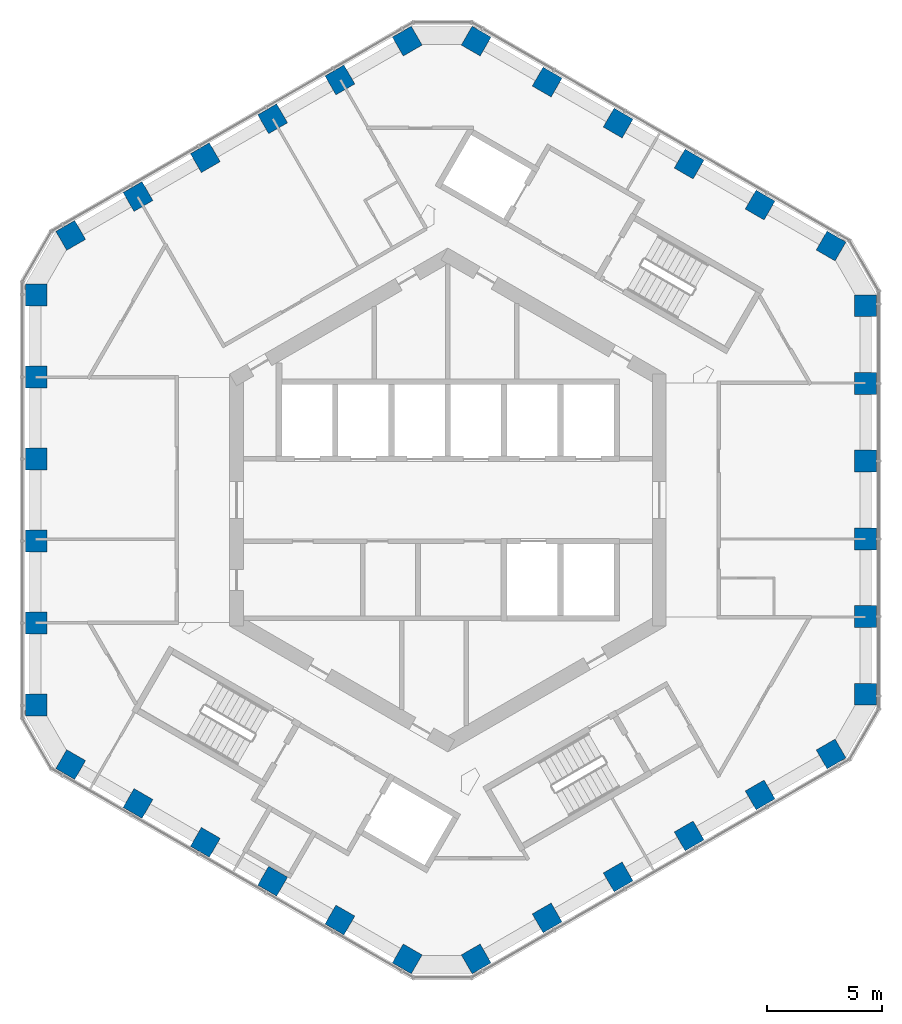
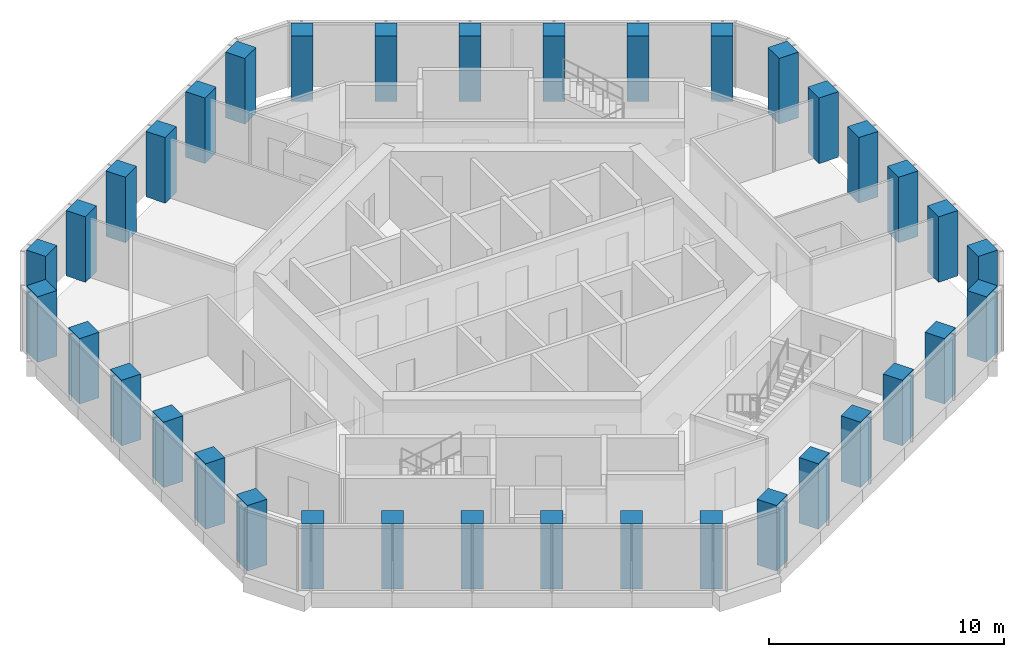
# One storey, part 1 of 18: 36 columns.
"""IFC4 building model written with IfcOpenShell, lengths in metres."""

from ifc_helpers import new_model, si_unit, direction, frame, origin, origin_2d, place, context, subcontext, project, spatial, rectangle, extrude, material, material_profile, profile_set, type_object, element, save


model = new_model("IFC4")

# Units and contexts
model_context = context("Model", 3, precision=1e-05, world=origin(), true_north=direction((0.0, 1.0)))
body_context = subcontext(model_context, "Body", "Model", "MODEL_VIEW")
ifc_project = project(units=[si_unit("LENGTHUNIT", "METRE"), si_unit("AREAUNIT", "SQUARE_METRE"), si_unit("VOLUMEUNIT", "CUBIC_METRE"), si_unit("PLANEANGLEUNIT", "RADIAN"), si_unit("MASSUNIT", "GRAM", prefix="KILO")], contexts=[model_context])

# Site, building, storey
site_placement = place(None, origin())
site = spatial("IfcSite", under=ifc_project, at=site_placement, CompositionType="ELEMENT")
building_placement = place(site_placement, origin())
building = spatial("IfcBuilding", under=site, at=building_placement, Name="Ayvan Gate Tower", CompositionType="ELEMENT")
storey_placement = place(building_placement, frame((0.0, 0.0, 166.300048828125)))
storey = spatial("IfcBuildingStorey", under=building, at=storey_placement, Name="L44", CompositionType="ELEMENT", Elevation=166.300048828125)

# Columns
ifc_material = material(Name="Concrete C55/67", Category="concrete")
ifc_material_profile = material_profile(ifc_material, rectangle(XDim=0.949951171875, YDim=0.949951171875, at=origin_2d()), Name="RC 950x950")
ifc_profile_set = profile_set([ifc_material_profile], Name="Concrete C55/67")
column_type = type_object("IfcColumnType", Name="Tube column RC 950x950 C55/67", PredefinedType="COLUMN", material=ifc_profile_set)
for number, where, z_axis, x_axis, name in (
    (1, (18.1865234375, -8.45947265625, 0.0), (0.0, 0.0, 1.0), (1.0, 0.0, 0.0), "C-T0-0-L44"),
    (2, (18.1865234375, -5.07568359375, 0.0), (0.0, 0.0, 1.0), (1.0, 0.0, 0.0), "C-T0-1-L44"),
    (3, (18.1865234375, -1.69189453125, 0.0), (0.0, 0.0, 1.0), (1.0, 0.0, 0.0), "C-T0-2-L44"),
    (4, (18.1865234375, 1.69189453125, 0.0), (0.0, 0.0, 1.0), (1.0, 0.0, 0.0), "C-T0-3-L44"),
    (5, (18.1865234375, 5.07568359375, 0.0), (0.0, 0.0, 1.0), (1.0, 0.0, 0.0), "C-T0-4-L44"),
    (6, (18.1865234375, 8.45947265625, 0.0), (0.0, 0.0, 1.0), (1.0, 0.0, 0.0), "C-T0-5-L44"),
    (7, (16.6865234375, 11.0576171875, 0.0), (0.0, 0.0, 1.0), (0.5, 0.866025403784, 0.0), "C-T1-0-L44"),
    (8, (13.595703125, 12.842041015625, 0.0), (0.0, 0.0, 1.0), (0.5, 0.866025403784, 0.0), "C-T1-1-L44"),
    (9, (10.505126953125, 14.62646484375, 0.0), (0.0, 0.0, 1.0), (0.5, 0.866025403784, 0.0), "C-T1-2-L44"),
    (10, (7.414306640625, 16.410888671875, 0.0), (0.0, 0.0, 1.0), (0.5, 0.866025403784, 0.0), "C-T1-3-L44"),
    (11, (4.32373046875, 18.1953125, 0.0), (0.0, 0.0, 1.0), (0.5, 0.866025403784, 0.0), "C-T1-4-L44"),
    (12, (1.23291015625, 19.979736328125, 0.0), (0.0, 0.0, 1.0), (0.5, 0.866025403784, 0.0), "C-T1-5-L44"),
    (13, (-1.76708984375, 19.979736328125, 0.0), (0.0, 0.0, 1.0), (-0.5, 0.866025403784, 0.0), "C-T2-0-L44"),
    (14, (-4.697509765625, 18.287841796875, 0.0), (0.0, 0.0, 1.0), (-0.5, 0.866025403784, 0.0), "C-T2-1-L44"),
    (15, (-7.6279296875, 16.595947265625, 0.0), (0.0, 0.0, 1.0), (-0.5, 0.866025403784, 0.0), "C-T2-2-L44"),
    (16, (-10.55859375, 14.904052734375, 0.0), (0.0, 0.0, 1.0), (-0.5, 0.866025403784, 0.0), "C-T2-3-L44"),
    (17, (-13.489013671875, 13.212158203125, 0.0), (0.0, 0.0, 1.0), (-0.5, 0.866025403784, 0.0), "C-T2-4-L44"),
    (18, (-16.41943359375, 11.520263671875, 0.0), (0.0, 0.0, 1.0), (-0.5, 0.866025403784, 0.0), "C-T2-5-L44"),
    (19, (-17.91943359375, 8.922119140625, 0.0), (0.0, 0.0, 1.0), (-1.0, 0.0, 0.0), "C-T3-0-L44"),
    (20, (-17.91943359375, 5.353271484375, 0.0), (0.0, 0.0, 1.0), (-1.0, 0.0, 0.0), "C-T3-1-L44"),
    (21, (-17.91943359375, 1.784423828125, 0.0), (0.0, 0.0, 1.0), (-1.0, 0.0, 0.0), "C-T3-2-L44"),
    (22, (-17.91943359375, -1.784423828125, 0.0), (0.0, 0.0, 1.0), (-1.0, 0.0, 0.0), "C-T3-3-L44"),
    (23, (-17.91943359375, -5.353271484375, 0.0), (0.0, 0.0, 1.0), (-1.0, 0.0, 0.0), "C-T3-4-L44"),
    (24, (-17.91943359375, -8.922119140625, 0.0), (0.0, 0.0, 1.0), (-1.0, 0.0, 0.0), "C-T3-5-L44"),
    (25, (-16.41943359375, -11.520263671875, 0.0), (0.0, 0.0, 1.0), (-0.5, -0.866025403784, 0.0), "C-T4-0-L44"),
    (26, (-13.489013671875, -13.212158203125, 0.0), (0.0, 0.0, 1.0), (-0.5, -0.866025403784, 0.0), "C-T4-1-L44"),
    (27, (-10.55859375, -14.904052734375, 0.0), (0.0, 0.0, 1.0), (-0.5, -0.866025403784, 0.0), "C-T4-2-L44"),
    (28, (-7.6279296875, -16.595947265625, 0.0), (0.0, 0.0, 1.0), (-0.5, -0.866025403784, 0.0), "C-T4-3-L44"),
    (29, (-4.697509765625, -18.287841796875, 0.0), (0.0, 0.0, 1.0), (-0.5, -0.866025403784, 0.0), "C-T4-4-L44"),
    (30, (-1.76708984375, -19.979736328125, 0.0), (0.0, 0.0, 1.0), (-0.5, -0.866025403784, 0.0), "C-T4-5-L44"),
    (31, (1.23291015625, -19.979736328125, 0.0), (0.0, 0.0, 1.0), (0.5, -0.866025403784, 0.0), "C-T5-0-L44"),
    (32, (4.32373046875, -18.1953125, 0.0), (0.0, 0.0, 1.0), (0.5, -0.866025403784, 0.0), "C-T5-1-L44"),
    (33, (7.414306640625, -16.410888671875, 0.0), (0.0, 0.0, 1.0), (0.5, -0.866025403784, 0.0), "C-T5-2-L44"),
    (34, (10.505126953125, -14.62646484375, 0.0), (0.0, 0.0, 1.0), (0.5, -0.866025403784, 0.0), "C-T5-3-L44"),
    (35, (13.595703125, -12.842041015625, 0.0), (0.0, 0.0, 1.0), (0.5, -0.866025403784, 0.0), "C-T5-4-L44"),
    (36, (16.6865234375, -11.0576171875, 0.0), (0.0, 0.0, 1.0), (0.5, -0.866025403784, 0.0), "C-T5-5-L44"),
):
    element("IfcColumn", number, at=place(storey_placement, frame(where, z_axis=z_axis, x_axis=x_axis)), inside=storey, type_object=column_type, Name=name, PredefinedType="COLUMN", context=body_context, shape_type="SweptSolid", body=[
        extrude(rectangle(XDim=0.949951171875, YDim=0.949951171875, at=origin_2d()), origin(), (0.0, 0.0, 1.0), 3.39990234375),
    ])

save(model, "model.ifc")
